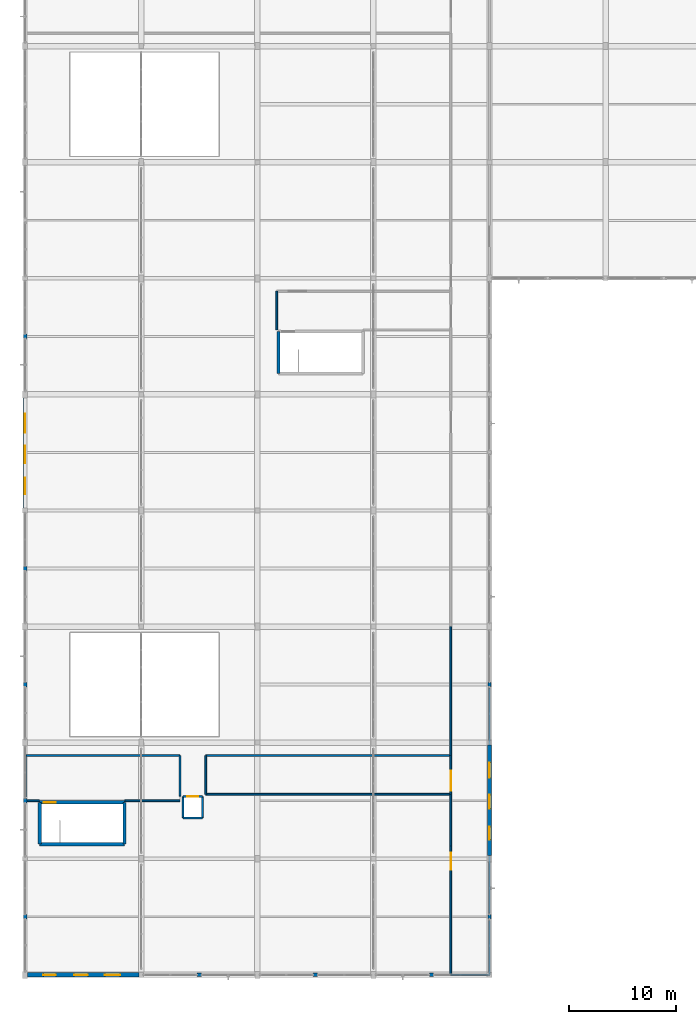
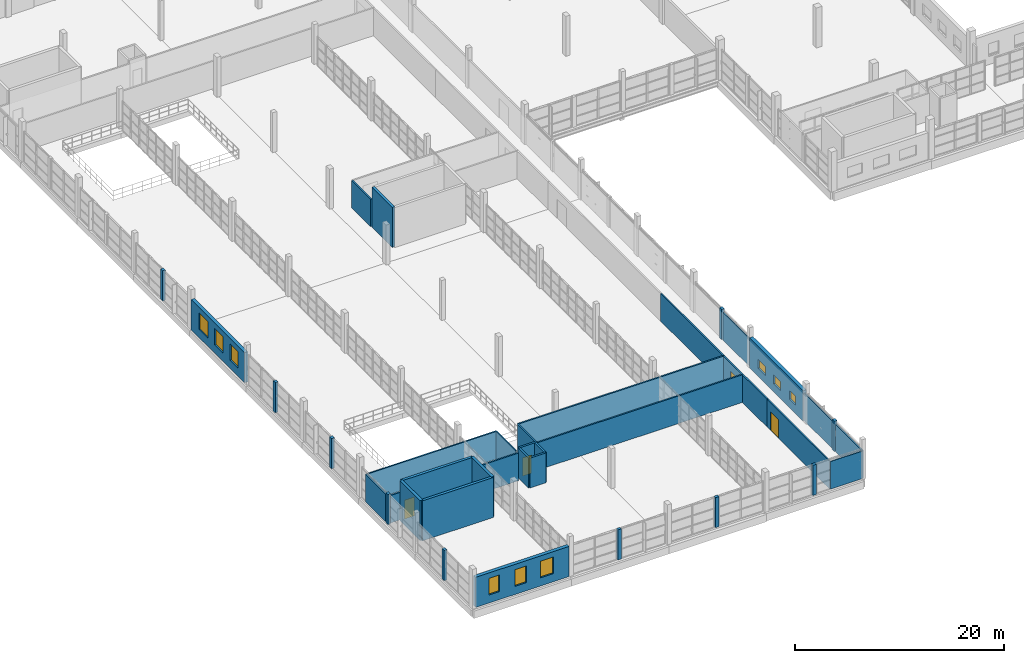
# One storey, part 103 of 142: 39 walls, 9 windows, 4 doors, 13 openings.
"""IFC4 building model written with IfcOpenShell, lengths in metres."""

from ifc_helpers import new_model, si_unit, direction, frame, frame_2d, origin, place, context, subcontext, project, spatial, rectangle, extrude, material, layer, layer_set, type_object, element, fill, save


model = new_model("IFC4")

# Units and contexts
model_context = context("Model", 3, precision=1e-05, world=origin(), true_north=direction((0.0, 1.0)))
body_context = subcontext(model_context, "Body", "Model", "MODEL_VIEW")
ifc_project = project(units=[si_unit("LENGTHUNIT", "METRE"), si_unit("AREAUNIT", "SQUARE_METRE"), si_unit("VOLUMEUNIT", "CUBIC_METRE"), si_unit("PLANEANGLEUNIT", "RADIAN"), si_unit("MASSUNIT", "GRAM", prefix="KILO")], contexts=[model_context])

# Site, building, storey
site_placement = place(None, origin())
site = spatial("IfcSite", under=ifc_project, at=site_placement, CompositionType="ELEMENT")
building_placement = place(site_placement, origin())
building = spatial("IfcBuilding", under=site, at=building_placement, Name="Zwinboog Wholesale Market", CompositionType="ELEMENT")
storey_placement = place(building_placement, frame((0.0, 0.0, 5.39990234375)))
storey = spatial("IfcBuildingStorey", under=building, at=storey_placement, Name="L01", CompositionType="ELEMENT", Elevation=5.39990234375)

# Wall, openings, windows
ifc_material_1 = material(Name="Precast concrete C45/55", Category="concrete")
ifc_layer_1 = layer(ifc_material_1, 0.3701171875)
ifc_layer_set_1 = layer_set([ifc_layer_1], Name="Precast concrete C45/55")
wall_type_1 = type_object("IfcWallType", Name="WT-EW-370", PredefinedType="STANDARD", material=ifc_layer_set_1)
wall_1_placement = place(storey_placement, frame((0.0, 43.419921875, 0.0), z_axis=(0.0, 0.0, 1.0), x_axis=(0.0, 1.0, 0.0)))
wall_1 = element("IfcWall", 1, at=wall_1_placement, inside=storey, type_object=wall_type_1, Name="EW-01 (WL-EW-L01-094)", PredefinedType="STANDARD", context=body_context, shape_type="SweptSolid", body=[
    extrude(rectangle(XDim=10.260009765625, YDim=0.3701171875, at=frame_2d((5.1298828125, 0.0))), origin(), (0.0, 0.0, 1.0), 3.530029296875),
])
opening_1_placement = place(wall_1_placement, frame((1.284912109375, 0.0, 0.949951171875)))
opening_1 = element("IfcOpeningElement", 2, at=opening_1_placement, cuts=wall_1, Name="Opening WN-61", PredefinedType="OPENING", context=body_context, shape_type="SweptSolid", body=[
    extrude(rectangle(XDim=1.530029296875, YDim=1.949951171875, at=frame_2d((0.76513671875, 0.97509765625))), frame((0.0, 0.195068359375, 0.0), z_axis=(0.0, -1.0, 0.0), x_axis=(1.0, 0.0, 0.0)), (0.0, 0.0, 1.0), 0.39013671875),
])
opening_2_placement = place(wall_1_placement, frame((4.155029296875, 0.0, 0.949951171875)))
opening_2 = element("IfcOpeningElement", 3, at=opening_2_placement, cuts=wall_1, Name="Opening WN-62", PredefinedType="OPENING", context=body_context, shape_type="SweptSolid", body=[
    extrude(rectangle(XDim=1.64990234375, YDim=1.949951171875, at=frame_2d((0.824951171875, 0.97509765625))), frame((0.0, 0.195068359375, 0.0), z_axis=(0.0, -1.0, 0.0), x_axis=(1.0, 0.0, 0.0)), (0.0, 0.0, 1.0), 0.39013671875),
])
opening_3_placement = place(wall_1_placement, frame((7.02490234375, 0.0, 0.949951171875)))
opening_3 = element("IfcOpeningElement", 4, at=opening_3_placement, cuts=wall_1, Name="Opening WN-63", PredefinedType="OPENING", context=body_context, shape_type="SweptSolid", body=[
    extrude(rectangle(XDim=1.77001953125, YDim=1.949951171875, at=frame_2d((0.885009765625, 0.97509765625))), frame((0.0, 0.195068359375, 0.0), z_axis=(0.0, -1.0, 0.0), x_axis=(1.0, 0.0, 0.0)), (0.0, 0.0, 1.0), 0.39013671875),
])
ifc_material_2 = material(Name="Thermally broken aluminium low-e window", Category="aluminium")
window_type_1 = type_object("IfcWindowType", Name="WNT-61", PartitioningType="SINGLE_PANEL", PredefinedType="WINDOW", material=ifc_material_2)
window_1_placement = place(opening_1_placement, origin())
window_1 = element("IfcWindow", 5, at=window_1_placement, inside=storey, type_object=window_type_1, Name="WN-61 (WIN-L01-0061)", OverallHeight=1.949951171875, OverallWidth=1.530029296875, PartitioningType="SINGLE_PANEL", PredefinedType="WINDOW", context=body_context, shape_type="SweptSolid", body=[
    extrude(rectangle(XDim=1.530029296875, YDim=1.949951171875, at=frame_2d((0.76513671875, 0.97509765625))), frame((0.0, 0.030029296875, 0.0), z_axis=(0.0, -1.0, 0.0), x_axis=(1.0, 0.0, 0.0)), (0.0, 0.0, 1.0), 0.06005859375),
])
fill(opening_1, window_1)
window_type_2 = type_object("IfcWindowType", Name="WNT-62", PartitioningType="SINGLE_PANEL", PredefinedType="WINDOW", material=ifc_material_2)
window_2_placement = place(opening_2_placement, origin())
window_2 = element("IfcWindow", 6, at=window_2_placement, inside=storey, type_object=window_type_2, Name="WN-62 (WIN-L01-0062)", OverallHeight=1.949951171875, OverallWidth=1.64990234375, PartitioningType="SINGLE_PANEL", PredefinedType="WINDOW", context=body_context, shape_type="SweptSolid", body=[
    extrude(rectangle(XDim=1.64990234375, YDim=1.949951171875, at=frame_2d((0.824951171875, 0.97509765625))), frame((0.0, 0.030029296875, 0.0), z_axis=(0.0, -1.0, 0.0), x_axis=(1.0, 0.0, 0.0)), (0.0, 0.0, 1.0), 0.06005859375),
])
fill(opening_2, window_2)
window_type_3 = type_object("IfcWindowType", Name="WNT-63", PartitioningType="SINGLE_PANEL", PredefinedType="WINDOW", material=ifc_material_2)
window_3_placement = place(opening_3_placement, origin())
window_3 = element("IfcWindow", 7, at=window_3_placement, inside=storey, type_object=window_type_3, Name="WN-63 (WIN-L01-0063)", OverallHeight=1.949951171875, OverallWidth=1.77001953125, PartitioningType="SINGLE_PANEL", PredefinedType="WINDOW", context=body_context, shape_type="SweptSolid", body=[
    extrude(rectangle(XDim=1.77001953125, YDim=1.949951171875, at=frame_2d((0.885009765625, 0.97509765625))), frame((0.0, 0.030029296875, 0.0), z_axis=(0.0, -1.0, 0.0), x_axis=(1.0, 0.0, 0.0)), (0.0, 0.0, 1.0), 0.06005859375),
])
fill(opening_3, window_3)

ifc_layer_2 = layer(ifc_material_1, 0.389892578125)
ifc_layer_set_2 = layer_set([ifc_layer_2], Name="Precast concrete C45/55")
wall_type_2 = type_object("IfcWallType", Name="WT-EW-390", PredefinedType="STANDARD", material=ifc_layer_set_2)
wall_2_placement = place(storey_placement, frame((0.219970703125, 0.0, 0.0), z_axis=(0.0, 0.0, 1.0), x_axis=(1.0, 0.0, 0.0)))
wall_2 = element("IfcWall", 8, at=wall_2_placement, inside=storey, type_object=wall_type_2, Name="EW-02 (WL-EW-L01-089)", PredefinedType="STANDARD", context=body_context, shape_type="SweptSolid", body=[
    extrude(rectangle(XDim=10.360107421875, YDim=0.389892578125, at=frame_2d((5.18017578125, 0.0))), origin(), (0.0, 0.0, 1.0), 3.530029296875),
])
opening_4_placement = place(wall_2_placement, frame((1.465087890625, 0.0, 0.949951171875)))
opening_4 = element("IfcOpeningElement", 9, at=opening_4_placement, cuts=wall_2, Name="Opening WN-58", PredefinedType="OPENING", context=body_context, shape_type="SweptSolid", body=[
    extrude(rectangle(XDim=1.169921875, YDim=1.949951171875, at=frame_2d((0.5849609375, 0.97509765625))), frame((0.0, 0.204833984375, 0.0), z_axis=(0.0, -1.0, 0.0), x_axis=(1.0, 0.0, 0.0)), (0.0, 0.0, 1.0), 0.409912109375),
])
opening_5_placement = place(wall_2_placement, frame((4.3349609375, 0.0, 0.949951171875)))
opening_5 = element("IfcOpeningElement", 10, at=opening_5_placement, cuts=wall_2, Name="Opening WN-59", PredefinedType="OPENING", context=body_context, shape_type="SweptSolid", body=[
    extrude(rectangle(XDim=1.2900390625, YDim=1.949951171875, at=frame_2d((0.64501953125, 0.97509765625))), frame((0.0, 0.204833984375, 0.0), z_axis=(0.0, -1.0, 0.0), x_axis=(1.0, 0.0, 0.0)), (0.0, 0.0, 1.0), 0.409912109375),
])
opening_6_placement = place(wall_2_placement, frame((7.205078125, 0.0, 0.949951171875)))
opening_6 = element("IfcOpeningElement", 11, at=opening_6_placement, cuts=wall_2, Name="Opening WN-60", PredefinedType="OPENING", context=body_context, shape_type="SweptSolid", body=[
    extrude(rectangle(XDim=1.409912109375, YDim=1.949951171875, at=frame_2d((0.705078125, 0.97509765625))), frame((0.0, 0.204833984375, 0.0), z_axis=(0.0, -1.0, 0.0), x_axis=(1.0, 0.0, 0.0)), (0.0, 0.0, 1.0), 0.409912109375),
])
window_type_4 = type_object("IfcWindowType", Name="WNT-58", PartitioningType="SINGLE_PANEL", PredefinedType="WINDOW", material=ifc_material_2)
window_4_placement = place(opening_4_placement, frame((1.169921875, 0.0, 0.0), z_axis=(0.0, 0.0, 1.0), x_axis=(-1.0, 0.0, 0.0)))
window_4 = element("IfcWindow", 12, at=window_4_placement, inside=storey, type_object=window_type_4, Name="WN-58 (WIN-L01-0058)", OverallHeight=1.949951171875, OverallWidth=1.169921875, PartitioningType="SINGLE_PANEL", PredefinedType="WINDOW", context=body_context, shape_type="SweptSolid", body=[
    extrude(rectangle(XDim=1.169921875, YDim=1.949951171875, at=frame_2d((0.5849609375, 0.97509765625))), frame((0.0, 0.030029296875, 0.0), z_axis=(0.0, -1.0, 0.0), x_axis=(1.0, 0.0, 0.0)), (0.0, 0.0, 1.0), 0.06005859375),
])
fill(opening_4, window_4)
window_type_5 = type_object("IfcWindowType", Name="WNT-59", PartitioningType="SINGLE_PANEL", PredefinedType="WINDOW", material=ifc_material_2)
window_5_placement = place(opening_5_placement, frame((1.2900390625, 0.0, 0.0), z_axis=(0.0, 0.0, 1.0), x_axis=(-1.0, 0.0, 0.0)))
window_5 = element("IfcWindow", 13, at=window_5_placement, inside=storey, type_object=window_type_5, Name="WN-59 (WIN-L01-0059)", OverallHeight=1.949951171875, OverallWidth=1.2900390625, PartitioningType="SINGLE_PANEL", PredefinedType="WINDOW", context=body_context, shape_type="SweptSolid", body=[
    extrude(rectangle(XDim=1.2900390625, YDim=1.949951171875, at=frame_2d((0.64501953125, 0.97509765625))), frame((0.0, 0.030029296875, 0.0), z_axis=(0.0, -1.0, 0.0), x_axis=(1.0, 0.0, 0.0)), (0.0, 0.0, 1.0), 0.06005859375),
])
fill(opening_5, window_5)
window_type_6 = type_object("IfcWindowType", Name="WNT-60", PartitioningType="SINGLE_PANEL", PredefinedType="WINDOW", material=ifc_material_2)
window_6_placement = place(opening_6_placement, frame((1.409912109375, 0.0, 0.0), z_axis=(0.0, 0.0, 1.0), x_axis=(-1.0, 0.0, 0.0)))
window_6 = element("IfcWindow", 14, at=window_6_placement, inside=storey, type_object=window_type_6, Name="WN-60 (WIN-L01-0060)", OverallHeight=1.949951171875, OverallWidth=1.409912109375, PartitioningType="SINGLE_PANEL", PredefinedType="WINDOW", context=body_context, shape_type="SweptSolid", body=[
    extrude(rectangle(XDim=1.409912109375, YDim=1.949951171875, at=frame_2d((0.705078125, 0.97509765625))), frame((0.0, 0.030029296875, 0.0), z_axis=(0.0, -1.0, 0.0), x_axis=(1.0, 0.0, 0.0)), (0.0, 0.0, 1.0), 0.06005859375),
])
fill(opening_6, window_6)

wall_3_placement = place(storey_placement, frame((43.199951171875, 11.1201171875, 0.0), z_axis=(0.0, 0.0, 1.0), x_axis=(0.0, 1.0, 0.0)))
wall_3 = element("IfcWall", 15, at=wall_3_placement, inside=storey, type_object=wall_type_2, Name="EW-02 (WL-EW-L01-109)", PredefinedType="STANDARD", context=body_context, shape_type="SweptSolid", body=[
    extrude(rectangle(XDim=10.259765625, YDim=0.389892578125, at=frame_2d((5.1298828125, 0.0))), origin(), (0.0, 0.0, 1.0), 3.530029296875),
])
opening_7_placement = place(wall_3_placement, frame((1.465087890625, 0.0, 0.949951171875)))
opening_7 = element("IfcOpeningElement", 16, at=opening_7_placement, cuts=wall_3, Name="Opening WN-10", PredefinedType="OPENING", context=body_context, shape_type="SweptSolid", body=[
    extrude(rectangle(XDim=1.169921875, YDim=1.050048828125, at=frame_2d((0.5849609375, 0.52490234375))), frame((0.0, 0.204833984375, 0.0), z_axis=(0.0, -1.0, 0.0), x_axis=(1.0, 0.0, 0.0)), (0.0, 0.0, 1.0), 0.409912109375),
])
opening_8_placement = place(wall_3_placement, frame((4.3349609375, 0.0, 0.949951171875)))
opening_8 = element("IfcOpeningElement", 17, at=opening_8_placement, cuts=wall_3, Name="Opening WN-11", PredefinedType="OPENING", context=body_context, shape_type="SweptSolid", body=[
    extrude(rectangle(XDim=1.2900390625, YDim=1.050048828125, at=frame_2d((0.64501953125, 0.52490234375))), frame((0.0, 0.204833984375, 0.0), z_axis=(0.0, -1.0, 0.0), x_axis=(1.0, 0.0, 0.0)), (0.0, 0.0, 1.0), 0.409912109375),
])
opening_9_placement = place(wall_3_placement, frame((7.205078125, 0.0, 0.949951171875)))
opening_9 = element("IfcOpeningElement", 18, at=opening_9_placement, cuts=wall_3, Name="Opening WN-12", PredefinedType="OPENING", context=body_context, shape_type="SweptSolid", body=[
    extrude(rectangle(XDim=1.409912109375, YDim=1.050048828125, at=frame_2d((0.705078125, 0.52490234375))), frame((0.0, 0.204833984375, 0.0), z_axis=(0.0, -1.0, 0.0), x_axis=(1.0, 0.0, 0.0)), (0.0, 0.0, 1.0), 0.409912109375),
])
window_type_7 = type_object("IfcWindowType", Name="WNT-10", PartitioningType="SINGLE_PANEL", PredefinedType="WINDOW", material=ifc_material_2)
window_7_placement = place(opening_7_placement, frame((1.169921875, 0.0, 0.0), z_axis=(0.0, 0.0, 1.0), x_axis=(-1.0, 0.0, 0.0)))
window_7 = element("IfcWindow", 19, at=window_7_placement, inside=storey, type_object=window_type_7, Name="WN-10 (WIN-L01-0082)", OverallHeight=1.050048828125, OverallWidth=1.169921875, PartitioningType="SINGLE_PANEL", PredefinedType="WINDOW", context=body_context, shape_type="SweptSolid", body=[
    extrude(rectangle(XDim=1.169921875, YDim=1.050048828125, at=frame_2d((0.5849609375, 0.52490234375))), frame((0.0, 0.030029296875, 0.0), z_axis=(0.0, -1.0, 0.0), x_axis=(1.0, 0.0, 0.0)), (0.0, 0.0, 1.0), 0.06005859375),
])
fill(opening_7, window_7)
window_type_8 = type_object("IfcWindowType", Name="WNT-11", PartitioningType="SINGLE_PANEL", PredefinedType="WINDOW", material=ifc_material_2)
window_8_placement = place(opening_8_placement, frame((1.2900390625, 0.0, 0.0), z_axis=(0.0, 0.0, 1.0), x_axis=(-1.0, 0.0, 0.0)))
window_8 = element("IfcWindow", 20, at=window_8_placement, inside=storey, type_object=window_type_8, Name="WN-11 (WIN-L01-0083)", OverallHeight=1.050048828125, OverallWidth=1.2900390625, PartitioningType="SINGLE_PANEL", PredefinedType="WINDOW", context=body_context, shape_type="SweptSolid", body=[
    extrude(rectangle(XDim=1.2900390625, YDim=1.050048828125, at=frame_2d((0.64501953125, 0.52490234375))), frame((0.0, 0.030029296875, 0.0), z_axis=(0.0, -1.0, 0.0), x_axis=(1.0, 0.0, 0.0)), (0.0, 0.0, 1.0), 0.06005859375),
])
fill(opening_8, window_8)
window_type_9 = type_object("IfcWindowType", Name="WNT-12", PartitioningType="SINGLE_PANEL", PredefinedType="WINDOW", material=ifc_material_2)
window_9_placement = place(opening_9_placement, frame((1.409912109375, 0.0, 0.0), z_axis=(0.0, 0.0, 1.0), x_axis=(-1.0, 0.0, 0.0)))
window_9 = element("IfcWindow", 21, at=window_9_placement, inside=storey, type_object=window_type_9, Name="WN-12 (WIN-L01-0084)", OverallHeight=1.050048828125, OverallWidth=1.409912109375, PartitioningType="SINGLE_PANEL", PredefinedType="WINDOW", context=body_context, shape_type="SweptSolid", body=[
    extrude(rectangle(XDim=1.409912109375, YDim=1.050048828125, at=frame_2d((0.705078125, 0.52490234375))), frame((0.0, 0.030029296875, 0.0), z_axis=(0.0, -1.0, 0.0), x_axis=(1.0, 0.0, 0.0)), (0.0, 0.0, 1.0), 0.06005859375),
])
fill(opening_9, window_9)

# Walls
ifc_layer_3 = layer(ifc_material_1, 0.304931640625)
ifc_layer_set_3 = layer_set([ifc_layer_3], Name="Precast concrete C45/55")
wall_type_3 = type_object("IfcWallType", Name="WT-EW-305", PredefinedType="STANDARD", material=ifc_layer_set_3)
wall_4_placement = place(storey_placement, frame((0.0, 5.199951171875, 0.0), z_axis=(0.0, 0.0, 1.0), x_axis=(0.0, 1.0, 0.0)))
element("IfcWall", 22, at=wall_4_placement, inside=storey, type_object=wall_type_3, Name="EW-07 (WL-PIER-L01-090)", PredefinedType="STANDARD", context=body_context, shape_type="SweptSolid", body=[
    extrude(rectangle(XDim=0.400146484375, YDim=0.304931640625, at=frame_2d((0.2001953125, 0.0))), origin(), (0.0, 0.0, 1.0), 3.530029296875),
])
for number, where, z_axis, x_axis, name in (
    (23, (0.0, 16.0, 0.0), (0.0, 0.0, 1.0), (0.0, 1.0, 0.0), "EW-07 (WL-PIER-L01-091)"),
    (24, (0.0, 26.800048828125, 0.0), (0.0, 0.0, 1.0), (0.0, 1.0, 0.0), "EW-07 (WL-PIER-L01-092)"),
    (25, (0.0, 37.60009765625, 0.0), (0.0, 0.0, 1.0), (0.0, 1.0, 0.0), "EW-07 (WL-PIER-L01-093)"),
):
    element("IfcWall", number, at=place(storey_placement, frame(where, z_axis=z_axis, x_axis=x_axis)), inside=storey, type_object=wall_type_3, Name=name, PredefinedType="STANDARD", context=body_context, shape_type="SweptSolid", body=[
        extrude(rectangle(XDim=0.39990234375, YDim=0.304931640625, at=frame_2d((0.199951171875, 0.0))), origin(), (0.0, 0.0, 1.0), 3.530029296875),
    ])
wall_5_placement = place(storey_placement, frame((0.0, 59.199951171875, 0.0), z_axis=(0.0, 0.0, 1.0), x_axis=(0.0, 1.0, 0.0)))
element("IfcWall", 26, at=wall_5_placement, inside=storey, type_object=wall_type_3, Name="EW-07 (WL-PIER-L01-095)", PredefinedType="STANDARD", context=body_context, shape_type="SweptSolid", body=[
    extrude(rectangle(XDim=0.400146484375, YDim=0.304931640625, at=frame_2d((0.2001953125, 0.0))), origin(), (0.0, 0.0, 1.0), 3.530029296875),
])
for number, where, z_axis, x_axis, name in (
    (27, (16.0, 0.0, 0.0), (0.0, 0.0, 1.0), (1.0, 0.0, 0.0), "EW-07 (WL-PIER-L01-103)"),
    (28, (26.800048828125, 0.0, 0.0), (0.0, 0.0, 1.0), (1.0, 0.0, 0.0), "EW-07 (WL-PIER-L01-105)"),
    (29, (37.60009765625, 0.0, 0.0), (0.0, 0.0, 1.0), (1.0, 0.0, 0.0), "EW-07 (WL-PIER-L01-107)"),
):
    element("IfcWall", number, at=place(storey_placement, frame(where, z_axis=z_axis, x_axis=x_axis)), inside=storey, type_object=wall_type_3, Name=name, PredefinedType="STANDARD", context=body_context, shape_type="SweptSolid", body=[
        extrude(rectangle(XDim=0.39990234375, YDim=0.304931640625, at=frame_2d((0.199951171875, 0.0))), origin(), (0.0, 0.0, 1.0), 3.530029296875),
    ])
wall_6_placement = place(storey_placement, frame((43.199951171875, 5.199951171875, 0.0), z_axis=(0.0, 0.0, 1.0), x_axis=(0.0, 1.0, 0.0)))
element("IfcWall", 30, at=wall_6_placement, inside=storey, type_object=wall_type_3, Name="EW-07 (WL-PIER-L01-108)", PredefinedType="STANDARD", context=body_context, shape_type="SweptSolid", body=[
    extrude(rectangle(XDim=0.400146484375, YDim=0.304931640625, at=frame_2d((0.2001953125, 0.0))), origin(), (0.0, 0.0, 1.0), 3.530029296875),
])
wall_7_placement = place(storey_placement, frame((43.199951171875, 26.800048828125, 0.0), z_axis=(0.0, 0.0, 1.0), x_axis=(0.0, 1.0, 0.0)))
element("IfcWall", 31, at=wall_7_placement, inside=storey, type_object=wall_type_3, Name="EW-07 (WL-PIER-L01-110)", PredefinedType="STANDARD", context=body_context, shape_type="SweptSolid", body=[
    extrude(rectangle(XDim=0.39990234375, YDim=0.304931640625, at=frame_2d((0.199951171875, 0.0))), origin(), (0.0, 0.0, 1.0), 3.530029296875),
])
ifc_material_3 = material(Name="Concrete C40/50", Category="concrete")
ifc_layer_4 = layer(ifc_material_3, 0.280029296875)
ifc_layer_set_4 = layer_set([ifc_layer_4], Name="Concrete C40/50")
wall_type_4 = type_object("IfcWallType", Name="WT-SW-280", PredefinedType="SHEAR", material=ifc_layer_set_4)
wall_8_placement = place(storey_placement, frame((23.550048828125, 55.949951171875, 0.0), z_axis=(0.0, 0.0, 1.0), x_axis=(0.0, 1.0, 0.0)))
element("IfcWall", 32, at=wall_8_placement, inside=storey, type_object=wall_type_4, Name="SW-01 (WL-SW-L01-167)", PredefinedType="SHEAR", context=body_context, shape_type="SweptSolid", body=[
    extrude(rectangle(XDim=3.900146484375, YDim=0.280029296875, at=frame_2d((1.9501953125, 0.0))), origin(), (0.0, 0.0, 1.0), 4.68017578125),
])
ifc_layer_5 = layer(ifc_material_3, 0.300048828125)
ifc_layer_set_5 = layer_set([ifc_layer_5], Name="Concrete C40/50")
wall_type_5 = type_object("IfcWallType", Name="WT-SW-300", PredefinedType="SHEAR", material=ifc_layer_set_5)
wall_9_placement = place(storey_placement, frame((1.35009765625, 12.14990234375, 0.0), z_axis=(0.0, 0.0, 1.0), x_axis=(1.0, 0.0, 0.0)))
element("IfcWall", 33, at=wall_9_placement, inside=storey, type_object=wall_type_5, Name="SW-02 (WL-SW-L01-005)", PredefinedType="SHEAR", context=body_context, shape_type="SweptSolid", body=[
    extrude(rectangle(XDim=7.89990234375, YDim=0.300048828125, at=frame_2d((3.949951171875, 0.0))), origin(), (0.0, 0.0, 1.0), 4.68017578125),
])

# Wall, opening, door
wall_10_placement = place(storey_placement, frame((1.35009765625, 16.050048828125, 0.0), z_axis=(0.0, 0.0, 1.0), x_axis=(1.0, 0.0, 0.0)))
wall_10 = element("IfcWall", 34, at=wall_10_placement, inside=storey, type_object=wall_type_5, Name="SW-02 (WL-SW-L01-006)", PredefinedType="SHEAR", context=body_context, shape_type="SweptSolid", body=[
    extrude(rectangle(XDim=7.89990234375, YDim=0.300048828125, at=frame_2d((3.949951171875, 0.0))), origin(), (0.0, 0.0, 1.0), 4.68017578125),
])
opening_10_placement = place(wall_10_placement, frame((0.3798828125, 0.0, 0.0)))
opening_10 = element("IfcOpeningElement", 35, at=opening_10_placement, cuts=wall_10, Name="Opening FD-0002", PredefinedType="OPENING", context=body_context, shape_type="SweptSolid", body=[
    extrude(rectangle(XDim=1.10009765625, YDim=2.199951171875, at=frame_2d((0.550048828125, 1.10009765625))), frame((0.0, 0.159912109375, 0.0), z_axis=(0.0, -1.0, 0.0), x_axis=(1.0, 0.0, 0.0)), (0.0, 0.0, 1.0), 0.320068359375),
])
ifc_material_4 = material(Name="Timber and powder-coated steel door leaf", Category="steel")
door_type_1 = type_object("IfcDoorType", Name="IDT-FD-02", OperationType="NOTDEFINED", PredefinedType="DOOR", material=ifc_material_4)
door_1_placement = place(opening_10_placement, origin())
door_1 = element("IfcDoor", 36, at=door_1_placement, inside=storey, type_object=door_type_1, Name="Core Fire Door FD-0002", OperationType="SINGLE_SWING_LEFT", OverallHeight=2.199951171875, OverallWidth=1.10009765625, PredefinedType="DOOR", context=body_context, shape_type="SweptSolid", body=[
    extrude(rectangle(XDim=1.10009765625, YDim=2.199951171875, at=frame_2d((0.550048828125, 1.10009765625))), frame((0.0, 0.02490234375, 0.0), z_axis=(0.0, -1.0, 0.0), x_axis=(1.0, 0.0, 0.0)), (0.0, 0.0, 1.0), 0.050048828125),
])
fill(opening_10, door_1)

# Walls
for number, where, z_axis, x_axis, name in (
    (37, (1.35009765625, 12.14990234375, 0.0), (0.0, 0.0, 1.0), (0.0, 1.0, 0.0), "SW-02 (WL-SW-L01-007)"),
    (38, (9.25, 12.14990234375, 0.0), (0.0, 0.0, 1.0), (0.0, 1.0, 0.0), "SW-02 (WL-SW-L01-008)"),
):
    element("IfcWall", number, at=place(storey_placement, frame(where, z_axis=z_axis, x_axis=x_axis)), inside=storey, type_object=wall_type_5, Name=name, PredefinedType="SHEAR", context=body_context, shape_type="SweptSolid", body=[
        extrude(rectangle(XDim=3.900146484375, YDim=0.300048828125, at=frame_2d((1.9501953125, 0.0))), origin(), (0.0, 0.0, 1.0), 4.68017578125),
    ])
ifc_layer_6 = layer(ifc_material_1, 0.199951171875)
ifc_layer_set_6 = layer_set([ifc_layer_6], Name="Precast concrete C45/55")
wall_type_6 = type_object("IfcWallType", Name="WT-IW-200", PredefinedType="SOLIDWALL", material=ifc_layer_set_6)
wall_11_placement = place(storey_placement, frame((14.699951171875, 14.60009765625, 0.0), z_axis=(0.0, 0.0, 1.0), x_axis=(1.0, 0.0, 0.0)))
element("IfcWall", 39, at=wall_11_placement, inside=storey, type_object=wall_type_6, Name="IW-60 (WL-LSH-L01-173)", PredefinedType="SOLIDWALL", context=body_context, shape_type="SweptSolid", body=[
    extrude(rectangle(XDim=1.800048828125, YDim=0.199951171875, at=frame_2d((0.89990234375, 0.0))), origin(), (0.0, 0.0, 1.0), 3.5),
])

# Wall, opening, door
wall_12_placement = place(storey_placement, frame((14.699951171875, 16.60009765625, 0.0), z_axis=(0.0, 0.0, 1.0), x_axis=(1.0, 0.0, 0.0)))
wall_12 = element("IfcWall", 40, at=wall_12_placement, inside=storey, type_object=wall_type_6, Name="IW-60 (WL-LSH-L01-174)", PredefinedType="SOLIDWALL", context=body_context, shape_type="SweptSolid", body=[
    extrude(rectangle(XDim=1.800048828125, YDim=0.199951171875, at=frame_2d((0.89990234375, 0.0))), origin(), (0.0, 0.0, 1.0), 3.5),
])
opening_11_placement = place(wall_12_placement, frame((0.39990234375, 0.0, 0.0)))
opening_11 = element("IfcOpeningElement", 41, at=opening_11_placement, cuts=wall_12, Name="Opening LD-002", PredefinedType="OPENING", context=body_context, shape_type="SweptSolid", body=[
    extrude(rectangle(XDim=1.0, YDim=2.14990234375, at=frame_2d((0.5, 1.074951171875))), frame((0.0, 0.10986328125, 0.0), z_axis=(0.0, -1.0, 0.0), x_axis=(1.0, 0.0, 0.0)), (0.0, 0.0, 1.0), 0.219970703125),
])
door_type_2 = type_object("IfcDoorType", Name="IDT-LD-100", OperationType="DOUBLE_DOOR_SLIDING", PredefinedType="DOOR", material=ifc_material_4)
door_2_placement = place(opening_11_placement, origin())
door_2 = element("IfcDoor", 42, at=door_2_placement, inside=storey, type_object=door_type_2, Name="Lift Landing Door LD-002 (LP-01)", OperationType="DOUBLE_DOOR_SLIDING", OverallHeight=2.14990234375, OverallWidth=1.0, PredefinedType="DOOR", context=body_context, shape_type="SweptSolid", body=[
    extrude(rectangle(XDim=1.0, YDim=2.14990234375, at=frame_2d((0.5, 1.074951171875))), frame((0.0, 0.02490234375, 0.0), z_axis=(0.0, -1.0, 0.0), x_axis=(1.0, 0.0, 0.0)), (0.0, 0.0, 1.0), 0.050048828125),
])
fill(opening_11, door_2)

# Walls
for number, where, z_axis, x_axis, name in (
    (43, (14.699951171875, 14.60009765625, 0.0), (0.0, 0.0, 1.0), (0.0, 1.0, 0.0), "IW-60 (WL-LSH-L01-175)"),
    (44, (16.5, 14.60009765625, 0.0), (0.0, 0.0, 1.0), (0.0, 1.0, 0.0), "IW-60 (WL-LSH-L01-176)"),
):
    element("IfcWall", number, at=place(storey_placement, frame(where, z_axis=z_axis, x_axis=x_axis)), inside=storey, type_object=wall_type_6, Name=name, PredefinedType="SOLIDWALL", context=body_context, shape_type="SweptSolid", body=[
        extrude(rectangle(XDim=2.0, YDim=0.199951171875, at=frame_2d((1.0, 0.0))), origin(), (0.0, 0.0, 1.0), 3.5),
    ])

# Wall, opening, door
ifc_material_5 = material(Name="Fire-rated corridor stud partition")
ifc_layer_7 = layer(ifc_material_5, 0.154052734375)
ifc_layer_set_7 = layer_set([ifc_layer_7], Name="Fire-rated corridor stud partition")
wall_type_7 = type_object("IfcWallType", Name="WT-PT-154", PredefinedType="PARTITIONING", material=ifc_layer_set_7)
wall_13_placement = place(storey_placement, frame((39.60009765625, 0.0, 0.0), z_axis=(0.0, 0.0, 1.0), x_axis=(0.0, 1.0, 0.0)))
wall_13 = element("IfcWall", 45, at=wall_13_placement, inside=storey, type_object=wall_type_7, Name="PW-04 (WL-IN-L01-0113)", PredefinedType="PARTITIONING", context=body_context, shape_type="SweptSolid", body=[
    extrude(rectangle(XDim=12.0, YDim=0.154052734375, at=frame_2d((6.0, 0.0))), origin(), (0.0, 0.0, 1.0), 3.22998046875),
])
opening_12_placement = place(wall_13_placement, frame((9.760009765625, 0.0, 0.0)))
opening_12 = element("IfcOpeningElement", 46, at=opening_12_placement, cuts=wall_13, Name="Opening IDF-0044", PredefinedType="OPENING", context=body_context, shape_type="SweptSolid", body=[
    extrude(rectangle(XDim=1.60009765625, YDim=2.199951171875, at=frame_2d((0.800048828125, 1.10009765625))), frame((0.0, 0.0869140625, 0.0), z_axis=(0.0, -1.0, 0.0), x_axis=(1.0, 0.0, 0.0)), (0.0, 0.0, 1.0), 0.174072265625),
])
door_type_3 = type_object("IfcDoorType", Name="IDT-FD-03", OperationType="DOUBLE_DOOR_SINGLE_SWING", PredefinedType="DOOR", material=ifc_material_4)
door_3_placement = place(opening_12_placement, origin())
door_3 = element("IfcDoor", 47, at=door_3_placement, inside=storey, type_object=door_type_3, Name="Interior Door IDF-0044", OperationType="DOUBLE_DOOR_SINGLE_SWING", OverallHeight=2.199951171875, OverallWidth=1.60009765625, PredefinedType="DOOR", context=body_context, shape_type="SweptSolid", body=[
    extrude(rectangle(XDim=1.60009765625, YDim=2.199951171875, at=frame_2d((0.800048828125, 1.10009765625))), frame((0.0, 0.02490234375, 0.0), z_axis=(0.0, -1.0, 0.0), x_axis=(1.0, 0.0, 0.0)), (0.0, 0.0, 1.0), 0.050048828125),
])
fill(opening_12, door_3)

# Walls
wall_14_placement = place(storey_placement, frame((0.0, 20.39990234375, 0.0), z_axis=(0.0, 0.0, 1.0), x_axis=(1.0, 0.0, 0.0)))
element("IfcWall", 48, at=wall_14_placement, inside=storey, type_object=wall_type_7, Name="PW-04 (WL-IN-L01-0153)", PredefinedType="PARTITIONING", context=body_context, shape_type="SweptSolid", body=[
    extrude(rectangle(XDim=14.39990234375, YDim=0.154052734375, at=frame_2d((7.199951171875, 0.0))), origin(), (0.0, 0.0, 1.0), 3.22998046875),
])
wall_15_placement = place(storey_placement, frame((14.39990234375, 16.6201171875, 0.0), z_axis=(0.0, 0.0, 1.0), x_axis=(0.0, 1.0, 0.0)))
element("IfcWall", 49, at=wall_15_placement, inside=storey, type_object=wall_type_7, Name="PW-04 (WL-IN-L01-0159)", PredefinedType="PARTITIONING", context=body_context, shape_type="SweptSolid", body=[
    extrude(rectangle(XDim=3.77978515625, YDim=0.154052734375, at=frame_2d((1.889892578125, 0.0))), origin(), (0.0, 0.0, 1.0), 3.22998046875),
])
for number, where, z_axis, x_axis, name in (
    (50, (16.800048828125, 16.800048828125, 0.0), (0.0, 0.0, 1.0), (0.0, 1.0, 0.0), "PW-04 (WL-IN-L01-0161)"),
    (51, (39.60009765625, 0.0, 0.0), (0.0, 0.0, 1.0), (1.0, 0.0, 0.0), "PW-04 (WL-IN-L01-0165)"),
):
    element("IfcWall", number, at=place(storey_placement, frame(where, z_axis=z_axis, x_axis=x_axis)), inside=storey, type_object=wall_type_7, Name=name, PredefinedType="PARTITIONING", context=body_context, shape_type="SweptSolid", body=[
        extrude(rectangle(XDim=3.599853515625, YDim=0.154052734375, at=frame_2d((1.7998046875, 0.0))), origin(), (0.0, 0.0, 1.0), 3.22998046875),
    ])
wall_16_placement = place(storey_placement, frame((39.60009765625, 20.39990234375, 0.0), z_axis=(0.0, 0.0, 1.0), x_axis=(0.0, 1.0, 0.0)))
element("IfcWall", 52, at=wall_16_placement, inside=storey, type_object=wall_type_7, Name="PW-04 (WL-IN-L01-0167)", PredefinedType="PARTITIONING", context=body_context, shape_type="SweptSolid", body=[
    extrude(rectangle(XDim=12.0, YDim=0.154052734375, at=frame_2d((6.0, 0.0))), origin(), (0.0, 0.0, 1.0), 3.22998046875),
])
wall_17_placement = place(storey_placement, frame((43.199951171875, 0.0, 0.0), z_axis=(0.0, 0.0, 1.0), x_axis=(0.0, 1.0, 0.0)))
element("IfcWall", 53, at=wall_17_placement, inside=storey, type_object=wall_type_7, Name="PW-04 (WL-IN-L01-0171)", PredefinedType="PARTITIONING", context=body_context, shape_type="SweptSolid", body=[
    extrude(rectangle(XDim=5.047607421875, YDim=0.154052734375, at=frame_2d((2.52392578125, 0.0))), origin(), (0.0, 0.0, 1.0), 3.22998046875),
])
wall_18_placement = place(storey_placement, frame((43.199951171875, 5.75244140625, 0.0), z_axis=(0.0, 0.0, 1.0), x_axis=(0.0, 1.0, 0.0)))
element("IfcWall", 54, at=wall_18_placement, inside=storey, type_object=wall_type_7, Name="PW-04 (WL-IN-L01-0172)", PredefinedType="PARTITIONING", context=body_context, shape_type="SweptSolid", body=[
    extrude(rectangle(XDim=5.34765625, YDim=0.154052734375, at=frame_2d((2.673828125, 0.0))), origin(), (0.0, 0.0, 1.0), 3.22998046875),
])
wall_19_placement = place(storey_placement, frame((43.199951171875, 21.39990234375, 0.0), z_axis=(0.0, 0.0, 1.0), x_axis=(0.0, 1.0, 0.0)))
element("IfcWall", 55, at=wall_19_placement, inside=storey, type_object=wall_type_7, Name="PW-04 (WL-IN-L01-0173)", PredefinedType="PARTITIONING", context=body_context, shape_type="SweptSolid", body=[
    extrude(rectangle(XDim=5.24755859375, YDim=0.154052734375, at=frame_2d((2.623779296875, 0.0))), origin(), (0.0, 0.0, 1.0), 3.22998046875),
])

# Wall, opening, door
ifc_material_6 = material(Name="Laboratory acoustic partition")
ifc_layer_8 = layer(ifc_material_6, 0.16796875)
ifc_layer_set_8 = layer_set([ifc_layer_8], Name="Laboratory acoustic partition")
wall_type_8 = type_object("IfcWallType", Name="WT-PT-168", PredefinedType="PARTITIONING", material=ifc_layer_set_8)
wall_20_placement = place(storey_placement, frame((39.60009765625, 16.800048828125, 0.0), z_axis=(0.0, 0.0, 1.0), x_axis=(0.0, 1.0, 0.0)))
wall_20 = element("IfcWall", 56, at=wall_20_placement, inside=storey, type_object=wall_type_8, Name="PW-05 (WL-IN-L01-0114)", PredefinedType="PARTITIONING", context=body_context, shape_type="SweptSolid", body=[
    extrude(rectangle(XDim=3.599853515625, YDim=0.16796875, at=frame_2d((1.7998046875, 0.0))), origin(), (0.0, 0.0, 1.0), 3.22998046875),
])
opening_13_placement = place(wall_20_placement, frame((0.35009765625, 0.0, 0.0)))
opening_13 = element("IfcOpeningElement", 57, at=opening_13_placement, cuts=wall_20, Name="Opening IDF-0045", PredefinedType="OPENING", context=body_context, shape_type="SweptSolid", body=[
    extrude(rectangle(XDim=1.820068359375, YDim=2.25, at=frame_2d((0.91015625, 1.125))), frame((0.0, 0.093994140625, 0.0), z_axis=(0.0, -1.0, 0.0), x_axis=(1.0, 0.0, 0.0)), (0.0, 0.0, 1.0), 0.18798828125),
])
door_type_4 = type_object("IfcDoorType", Name="IDT-FD-04", OperationType="DOUBLE_DOOR_SINGLE_SWING", PredefinedType="DOOR", material=ifc_material_4)
door_4_placement = place(opening_13_placement, frame((1.820068359375, 0.0, 0.0), z_axis=(0.0, 0.0, 1.0), x_axis=(-1.0, 0.0, 0.0)))
door_4 = element("IfcDoor", 58, at=door_4_placement, inside=storey, type_object=door_type_4, Name="Interior Door IDF-0045", OperationType="DOUBLE_DOOR_SINGLE_SWING", OverallHeight=2.25, OverallWidth=1.820068359375, PredefinedType="DOOR", context=body_context, shape_type="SweptSolid", body=[
    extrude(rectangle(XDim=1.820068359375, YDim=2.25, at=frame_2d((0.91015625, 1.125))), frame((0.0, 0.02490234375, 0.0), z_axis=(0.0, -1.0, 0.0), x_axis=(1.0, 0.0, 0.0)), (0.0, 0.0, 1.0), 0.050048828125),
])
fill(opening_13, door_4)

# Walls
wall_21_placement = place(storey_placement, frame((0.132568359375, 16.199951171875, 0.0), z_axis=(0.0, 0.0, 1.0), x_axis=(1.0, 0.0, 0.0)))
element("IfcWall", 59, at=wall_21_placement, inside=storey, type_object=wall_type_8, Name="PW-05 (WL-IN-L01-0150)", PredefinedType="PARTITIONING", context=body_context, shape_type="SweptSolid", body=[
    extrude(rectangle(XDim=1.197509765625, YDim=0.16796875, at=frame_2d((0.5986328125, 0.0))), origin(), (0.0, 0.0, 1.0), 3.22998046875),
])
wall_22_placement = place(storey_placement, frame((9.27001953125, 16.199951171875, 0.0), z_axis=(0.0, 0.0, 1.0), x_axis=(1.0, 0.0, 0.0)))
element("IfcWall", 60, at=wall_22_placement, inside=storey, type_object=wall_type_8, Name="PW-05 (WL-IN-L01-0151)", PredefinedType="PARTITIONING", context=body_context, shape_type="SweptSolid", body=[
    extrude(rectangle(XDim=5.1298828125, YDim=0.16796875, at=frame_2d((2.56494140625, 0.0))), origin(), (0.0, 0.0, 1.0), 3.22998046875),
])
wall_23_placement = place(storey_placement, frame((0.0, 16.552490234375, 0.0), z_axis=(0.0, 0.0, 1.0), x_axis=(0.0, 1.0, 0.0)))
element("IfcWall", 61, at=wall_23_placement, inside=storey, type_object=wall_type_8, Name="PW-05 (WL-IN-L01-0152)", PredefinedType="PARTITIONING", context=body_context, shape_type="SweptSolid", body=[
    extrude(rectangle(XDim=3.847412109375, YDim=0.16796875, at=frame_2d((1.923828125, 0.0))), origin(), (0.0, 0.0, 1.0), 3.22998046875),
])
for number, where, z_axis, x_axis, name in (
    (62, (16.800048828125, 16.800048828125, 0.0), (0.0, 0.0, 1.0), (1.0, 0.0, 0.0), "PW-05 (WL-IN-L01-0160)"),
    (63, (16.800048828125, 20.39990234375, 0.0), (0.0, 0.0, 1.0), (1.0, 0.0, 0.0), "PW-05 (WL-IN-L01-0162)"),
):
    element("IfcWall", number, at=place(storey_placement, frame(where, z_axis=z_axis, x_axis=x_axis)), inside=storey, type_object=wall_type_8, Name=name, PredefinedType="PARTITIONING", context=body_context, shape_type="SweptSolid", body=[
        extrude(rectangle(XDim=22.800048828125, YDim=0.16796875, at=frame_2d((11.39990234375, 0.0))), origin(), (0.0, 0.0, 1.0), 3.22998046875),
    ])
wall_24_placement = place(storey_placement, frame((23.39990234375, 60.0, 0.0), z_axis=(0.0, 0.0, 1.0), x_axis=(0.0, 1.0, 0.0)))
element("IfcWall", 64, at=wall_24_placement, inside=storey, type_object=wall_type_8, Name="PW-05 (WL-IN-L01-0164)", PredefinedType="PARTITIONING", context=body_context, shape_type="SweptSolid", body=[
    extrude(rectangle(XDim=3.60009765625, YDim=0.16796875, at=frame_2d((1.800048828125, 0.0))), origin(), (0.0, 0.0, 1.0), 3.22998046875),
])
wall_25_placement = place(storey_placement, frame((39.60009765625, 12.0, 0.0), z_axis=(0.0, 0.0, 1.0), x_axis=(0.0, 1.0, 0.0)))
element("IfcWall", 65, at=wall_25_placement, inside=storey, type_object=wall_type_8, Name="PW-05 (WL-IN-L01-0166)", PredefinedType="PARTITIONING", context=body_context, shape_type="SweptSolid", body=[
    extrude(rectangle(XDim=4.800048828125, YDim=0.16796875, at=frame_2d((2.39990234375, 0.0))), origin(), (0.0, 0.0, 1.0), 3.22998046875),
])

save(model, "model.ifc")
